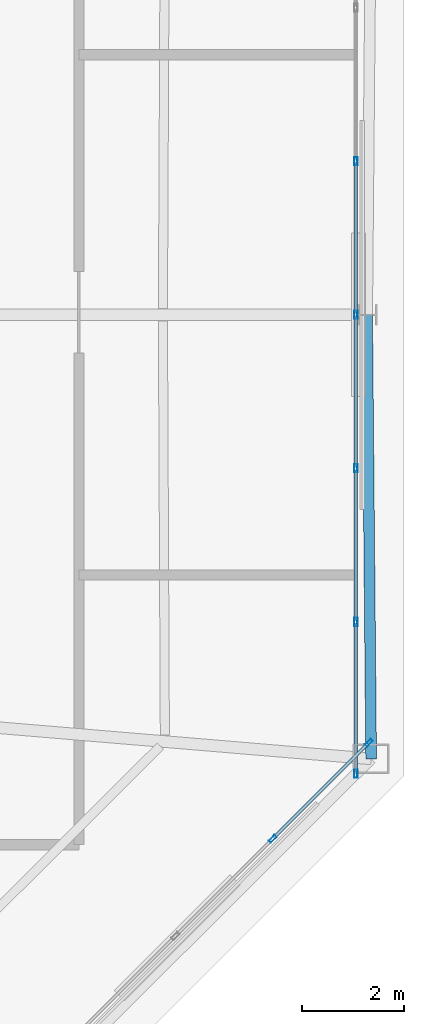
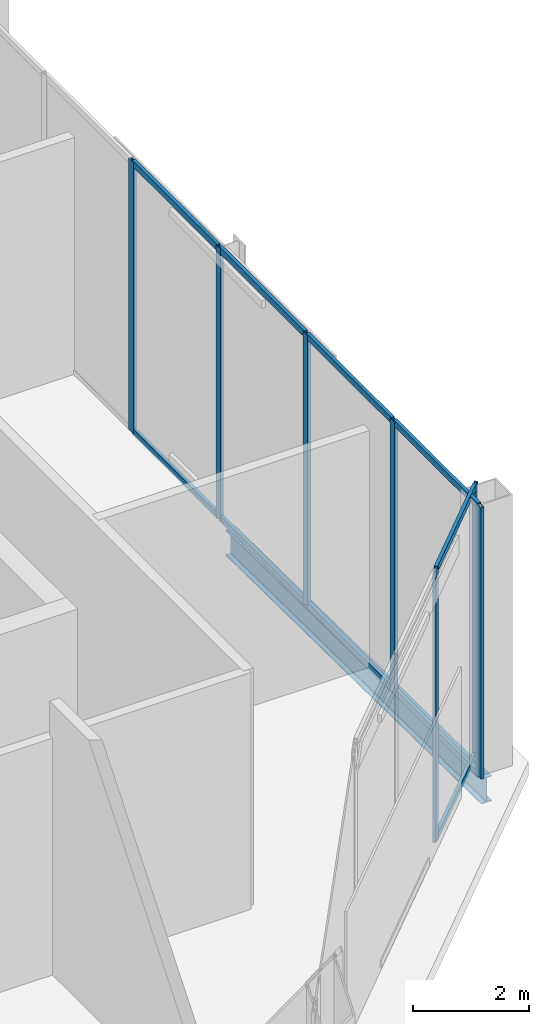
# One storey, part 15 of 20: 17 members, 1 beam, 2 elements without a shape of their own.
"""IFC4 building model written with IfcOpenShell, lengths in metres."""

from ifc_helpers import new_model, si_unit, direction, frame, origin, origin_2d, place, context, subcontext, project, spatial, hollow_rectangle, i_section, extrude, material, layer, layer_set, material_profile, profile_set, type_object, element, aggregate, save


model = new_model("IFC4")

# Units and contexts
model_context = context("Model", 3, precision=1e-05, world=origin(), true_north=direction((0.0, 1.0)))
body_context = subcontext(model_context, "Body", "Model", "MODEL_VIEW")
ifc_project = project(units=[si_unit("LENGTHUNIT", "METRE"), si_unit("AREAUNIT", "SQUARE_METRE"), si_unit("VOLUMEUNIT", "CUBIC_METRE"), si_unit("PLANEANGLEUNIT", "RADIAN"), si_unit("MASSUNIT", "GRAM", prefix="KILO")], contexts=[model_context])

# Site, building, storey
site_placement = place(None, origin())
site = spatial("IfcSite", under=ifc_project, at=site_placement, CompositionType="ELEMENT")
building_placement = place(site_placement, origin())
building = spatial("IfcBuilding", under=site, at=building_placement, Name="Caelvoria Tower", CompositionType="ELEMENT")
storey_placement = place(building_placement, frame((0.0, 0.0, 284.199951171875)))
storey = spatial("IfcBuildingStorey", under=building, at=storey_placement, Name="C1", CompositionType="ELEMENT", Elevation=284.199951171875)

# Curtain wall, members
ifc_material_1 = material(Name="Anodised Bronze Aluminium and Low-E Glass", Category="aluminium")
ifc_layer = layer(ifc_material_1, 0.179931640625, Name="Anodised Bronze Aluminium and Low-E Glass")
ifc_layer_set = layer_set([ifc_layer], Name="CW System 6 Slanted Crown Bronze Screen Facade - Anodised Bronze Aluminium and Low-E Glass")
curtain_wall_type = type_object("IfcCurtainWallType", Name="CW System 6 Slanted Crown Bronze Screen Facade", PredefinedType="NOTDEFINED", material=ifc_layer_set)
curtain_wall_1_placement = place(storey_placement, origin())
curtain_wall_1 = element("IfcCurtainWall", 1, at=curtain_wall_1_placement, inside=storey, type_object=curtain_wall_type, Name="CW-06 Curtain Wall C1-E1", PredefinedType="NOTDEFINED")
ifc_material_2 = material(Name="Anodised Bronze Architectural Aluminium", Category="aluminium")
ifc_material_profile_1 = material_profile(ifc_material_2, hollow_rectangle(XDim=0.06494140625, YDim=0.159912109375, WallThickness=0.00390625, at=origin_2d()), Name="Anodised Bronze Architectural Aluminium")
ifc_profile_set_1 = profile_set([ifc_material_profile_1], Name="CW_MULL_65X160 - Anodised Bronze Architectural Aluminium")
member_type_1 = type_object("IfcMemberType", Name="Curtain Wall Mullion 65x160 Bronze Aluminium", PredefinedType="MULLION", material=ifc_profile_set_1)
member_1_placement = place(storey_placement, frame((61.13525390625, 21.7646484375, 0.0), z_axis=(0.0, 0.0, 1.0), x_axis=(-0.707106781187, 0.707106781187, 0.0)))
member_1 = element("IfcMember", 2, at=member_1_placement, type_object=member_type_1, Name="CW-06 mullion 4", PredefinedType="MULLION", context=body_context, shape_type="SweptSolid", body=[
    extrude(hollow_rectangle(XDim=0.06494140625, YDim=0.159912109375, WallThickness=0.00390625, at=origin_2d()), origin(), (0.0, 0.0, 1.0), 5.699951171875),
])
member_2_placement = place(storey_placement, frame((63.01220703125, 23.6416015625, 0.0), z_axis=(0.0, 0.0, 1.0), x_axis=(-0.707106781187, 0.707106781187, 0.0)))
member_2 = element("IfcMember", 3, at=member_2_placement, type_object=member_type_1, Name="CW-06 mullion 5", PredefinedType="MULLION", context=body_context, shape_type="SweptSolid", body=[
    extrude(hollow_rectangle(XDim=0.06494140625, YDim=0.159912109375, WallThickness=0.00390625, at=origin_2d()), origin(), (0.0, 0.0, 1.0), 5.699951171875),
])

curtain_wall_2_placement = place(storey_placement, origin())
curtain_wall_2 = element("IfcCurtainWall", 4, at=curtain_wall_2_placement, inside=storey, type_object=curtain_wall_type, Name="CW-06 Curtain Wall C1-E2", PredefinedType="NOTDEFINED")
member_3_placement = place(storey_placement, frame((62.760009765625, 23.032470703125, 0.0), z_axis=(0.0, 0.0, 1.0), x_axis=(-1.0, 0.0, 0.0)))
member_3 = element("IfcMember", 5, at=member_3_placement, type_object=member_type_1, Name="CW-06 mullion 1", PredefinedType="MULLION", context=body_context, shape_type="SweptSolid", body=[
    extrude(hollow_rectangle(XDim=0.06494140625, YDim=0.159912109375, WallThickness=0.00390625, at=origin_2d()), origin(), (0.0, 0.0, 1.0), 5.699951171875),
])
member_4_placement = place(storey_placement, frame((62.760009765625, 26.0, 0.0), z_axis=(0.0, 0.0, 1.0), x_axis=(-1.0, 0.0, 0.0)))
member_4 = element("IfcMember", 6, at=member_4_placement, type_object=member_type_1, Name="CW-06 mullion 2", PredefinedType="MULLION", context=body_context, shape_type="SweptSolid", body=[
    extrude(hollow_rectangle(XDim=0.06494140625, YDim=0.159912109375, WallThickness=0.00390625, at=origin_2d()), origin(), (0.0, 0.0, 1.0), 5.699951171875),
])
member_5_placement = place(storey_placement, frame((62.760009765625, 29.0, 0.0), z_axis=(0.0, 0.0, 1.0), x_axis=(-1.0, 0.0, 0.0)))
member_5 = element("IfcMember", 7, at=member_5_placement, type_object=member_type_1, Name="CW-06 mullion 3", PredefinedType="MULLION", context=body_context, shape_type="SweptSolid", body=[
    extrude(hollow_rectangle(XDim=0.06494140625, YDim=0.159912109375, WallThickness=0.00390625, at=origin_2d()), origin(), (0.0, 0.0, 1.0), 5.699951171875),
])
member_6_placement = place(storey_placement, frame((62.760009765625, 32.0, 0.0), z_axis=(0.0, 0.0, 1.0), x_axis=(-1.0, 0.0, 0.0)))
member_6 = element("IfcMember", 8, at=member_6_placement, type_object=member_type_1, Name="CW-06 mullion 4", PredefinedType="MULLION", context=body_context, shape_type="SweptSolid", body=[
    extrude(hollow_rectangle(XDim=0.06494140625, YDim=0.159912109375, WallThickness=0.00390625, at=origin_2d()), origin(), (0.0, 0.0, 1.0), 5.699951171875),
])
member_7_placement = place(storey_placement, frame((62.760009765625, 35.0, 0.0), z_axis=(0.0, 0.0, 1.0), x_axis=(-1.0, 0.0, 0.0)))
member_7 = element("IfcMember", 9, at=member_7_placement, type_object=member_type_1, Name="CW-06 mullion 5", PredefinedType="MULLION", context=body_context, shape_type="SweptSolid", body=[
    extrude(hollow_rectangle(XDim=0.06494140625, YDim=0.159912109375, WallThickness=0.00390625, at=origin_2d()), origin(), (0.0, 0.0, 1.0), 5.699951171875),
])

# Member
ifc_material_profile_2 = material_profile(ifc_material_2, hollow_rectangle(XDim=0.06494140625, YDim=0.1298828125, WallThickness=0.00341796875, at=origin_2d()), Name="Anodised Bronze Architectural Aluminium")
ifc_profile_set_2 = profile_set([ifc_material_profile_2], Name="CW_TRAN_65X130 - Anodised Bronze Architectural Aluminium")
member_type_2 = type_object("IfcMemberType", Name="Curtain Wall Transom 65x130 Bronze Aluminium", PredefinedType="USERDEFINED", material=ifc_profile_set_2)
member_8_placement = place(storey_placement, frame((61.158203125, 21.78759765625, 0.032470703125), z_axis=(0.707106781187, 0.707106781187, 0.0), x_axis=(-0.707106781187, 0.707106781187, 0.0)))
member_8 = element("IfcMember", 10, at=member_8_placement, type_object=member_type_2, Name="CW-06 transom 4.1", ObjectType="TRANSOM", PredefinedType="USERDEFINED", context=body_context, shape_type="SweptSolid", body=[
    extrude(hollow_rectangle(XDim=0.06494140625, YDim=0.1298828125, WallThickness=0.00341796875, at=origin_2d()), origin(), (0.0, 0.0, 1.0), 2.589599609375),
])

member_9_placement = place(storey_placement, frame((61.158203125, 21.78759765625, 5.66748046875), z_axis=(0.707106781187, 0.707106781187, 0.0), x_axis=(-0.707106781187, 0.707106781187, 0.0)))
member_9 = element("IfcMember", 11, at=member_9_placement, type_object=member_type_2, Name="CW-06 transom 4.2", ObjectType="TRANSOM", PredefinedType="USERDEFINED", context=body_context, shape_type="SweptSolid", body=[
    extrude(hollow_rectangle(XDim=0.06494140625, YDim=0.1298828125, WallThickness=0.00341796875, at=origin_2d()), origin(), (0.0, 0.0, 1.0), 2.589599609375),
])

aggregate(curtain_wall_1, [member_1, member_2, member_8, member_9])

member_10_placement = place(storey_placement, frame((62.760009765625, 23.06494140625, 0.032470703125), z_axis=(0.0, 1.0, 0.0), x_axis=(-1.0, 0.0, 0.0)))
member_10 = element("IfcMember", 12, at=member_10_placement, type_object=member_type_2, Name="CW-06 transom 1.1", ObjectType="TRANSOM", PredefinedType="USERDEFINED", context=body_context, shape_type="SweptSolid", body=[
    extrude(hollow_rectangle(XDim=0.06494140625, YDim=0.1298828125, WallThickness=0.00341796875, at=origin_2d()), origin(), (0.0, 0.0, 1.0), 2.902587890625),
])

member_11_placement = place(storey_placement, frame((62.760009765625, 23.06494140625, 5.66748046875), z_axis=(0.0, 1.0, 0.0), x_axis=(-1.0, 0.0, 0.0)))
member_11 = element("IfcMember", 13, at=member_11_placement, type_object=member_type_2, Name="CW-06 transom 1.2", ObjectType="TRANSOM", PredefinedType="USERDEFINED", context=body_context, shape_type="SweptSolid", body=[
    extrude(hollow_rectangle(XDim=0.06494140625, YDim=0.1298828125, WallThickness=0.00341796875, at=origin_2d()), origin(), (0.0, 0.0, 1.0), 2.902587890625),
])

member_12_placement = place(storey_placement, frame((62.760009765625, 26.032470703125, 0.032470703125), z_axis=(0.0, 1.0, 0.0), x_axis=(-1.0, 0.0, 0.0)))
member_12 = element("IfcMember", 14, at=member_12_placement, type_object=member_type_2, Name="CW-06 transom 2.1", ObjectType="TRANSOM", PredefinedType="USERDEFINED", context=body_context, shape_type="SweptSolid", body=[
    extrude(hollow_rectangle(XDim=0.06494140625, YDim=0.1298828125, WallThickness=0.00341796875, at=origin_2d()), origin(), (0.0, 0.0, 1.0), 2.93505859375),
])

member_13_placement = place(storey_placement, frame((62.760009765625, 26.032470703125, 5.66748046875), z_axis=(0.0, 1.0, 0.0), x_axis=(-1.0, 0.0, 0.0)))
member_13 = element("IfcMember", 15, at=member_13_placement, type_object=member_type_2, Name="CW-06 transom 2.2", ObjectType="TRANSOM", PredefinedType="USERDEFINED", context=body_context, shape_type="SweptSolid", body=[
    extrude(hollow_rectangle(XDim=0.06494140625, YDim=0.1298828125, WallThickness=0.00341796875, at=origin_2d()), origin(), (0.0, 0.0, 1.0), 2.93505859375),
])

member_14_placement = place(storey_placement, frame((62.760009765625, 29.032470703125, 0.032470703125), z_axis=(0.0, 1.0, 0.0), x_axis=(-1.0, 0.0, 0.0)))
member_14 = element("IfcMember", 16, at=member_14_placement, type_object=member_type_2, Name="CW-06 transom 3.1", ObjectType="TRANSOM", PredefinedType="USERDEFINED", context=body_context, shape_type="SweptSolid", body=[
    extrude(hollow_rectangle(XDim=0.06494140625, YDim=0.1298828125, WallThickness=0.00341796875, at=origin_2d()), origin(), (0.0, 0.0, 1.0), 2.93505859375),
])

member_15_placement = place(storey_placement, frame((62.760009765625, 29.032470703125, 5.66748046875), z_axis=(0.0, 1.0, 0.0), x_axis=(-1.0, 0.0, 0.0)))
member_15 = element("IfcMember", 17, at=member_15_placement, type_object=member_type_2, Name="CW-06 transom 3.2", ObjectType="TRANSOM", PredefinedType="USERDEFINED", context=body_context, shape_type="SweptSolid", body=[
    extrude(hollow_rectangle(XDim=0.06494140625, YDim=0.1298828125, WallThickness=0.00341796875, at=origin_2d()), origin(), (0.0, 0.0, 1.0), 2.93505859375),
])

member_16_placement = place(storey_placement, frame((62.760009765625, 32.032470703125, 0.032470703125), z_axis=(0.0, 1.0, 0.0), x_axis=(-1.0, 0.0, 0.0)))
member_16 = element("IfcMember", 18, at=member_16_placement, type_object=member_type_2, Name="CW-06 transom 4.1", ObjectType="TRANSOM", PredefinedType="USERDEFINED", context=body_context, shape_type="SweptSolid", body=[
    extrude(hollow_rectangle(XDim=0.06494140625, YDim=0.1298828125, WallThickness=0.00341796875, at=origin_2d()), origin(), (0.0, 0.0, 1.0), 2.93505859375),
])

member_17_placement = place(storey_placement, frame((62.760009765625, 32.032470703125, 5.66748046875), z_axis=(0.0, 1.0, 0.0), x_axis=(-1.0, 0.0, 0.0)))
member_17 = element("IfcMember", 19, at=member_17_placement, type_object=member_type_2, Name="CW-06 transom 4.2", ObjectType="TRANSOM", PredefinedType="USERDEFINED", context=body_context, shape_type="SweptSolid", body=[
    extrude(hollow_rectangle(XDim=0.06494140625, YDim=0.1298828125, WallThickness=0.00341796875, at=origin_2d()), origin(), (0.0, 0.0, 1.0), 2.93505859375),
])

aggregate(curtain_wall_2, [member_3, member_4, member_5, member_6, member_7, member_10, member_11, member_12, member_13, member_14, member_15, member_16, member_17])

# Beam
ifc_material_3 = material(Name="Structural Steel ASTM A992 Gr.50", Category="steel")
ifc_material_profile_3 = material_profile(ifc_material_3, i_section(OverallWidth=0.208984375, OverallDepth=0.532958984375, WebThickness=0.01025390625, FlangeThickness=0.015625, FilletRadius=0.01611328125, at=origin_2d()), Name="Structural Steel ASTM A992 Gr.50")
ifc_profile_set_3 = profile_set([ifc_material_profile_3], Name="W530X92 - Structural Steel ASTM A992 Gr.50")
beam_type = type_object("IfcBeamType", Name="Upper Zone Spandrel W530X92", PredefinedType="BEAM", material=ifc_profile_set_3)
beam_placement = place(storey_placement, frame((63.05810546875, 23.326416015625, -0.56640625), z_axis=(-0.009006868577, 0.999959437337, 0.0), x_axis=(-0.999959437337, -0.009006868577, 0.0)))
element("IfcBeam", 20, at=beam_placement, inside=storey, type_object=beam_type, Name="Perimeter Spandrel Girder C1-03", PredefinedType="BEAM", context=body_context, shape_type="SweptSolid", body=[
    extrude(i_section(OverallWidth=0.208984375, OverallDepth=0.532958984375, WebThickness=0.01025390625, FlangeThickness=0.015625, FilletRadius=0.01611328125, at=origin_2d()), origin(), (0.0, 0.0, 1.0), 8.673828125),
])

save(model, "model.ifc")
